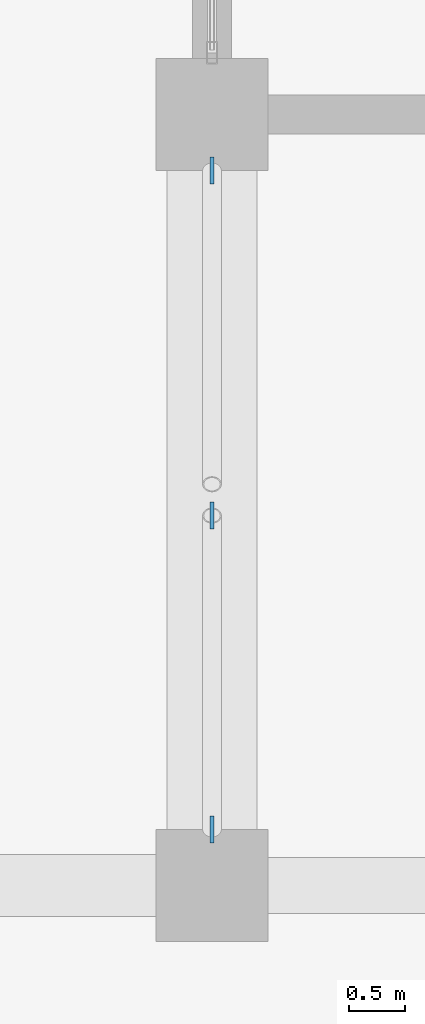
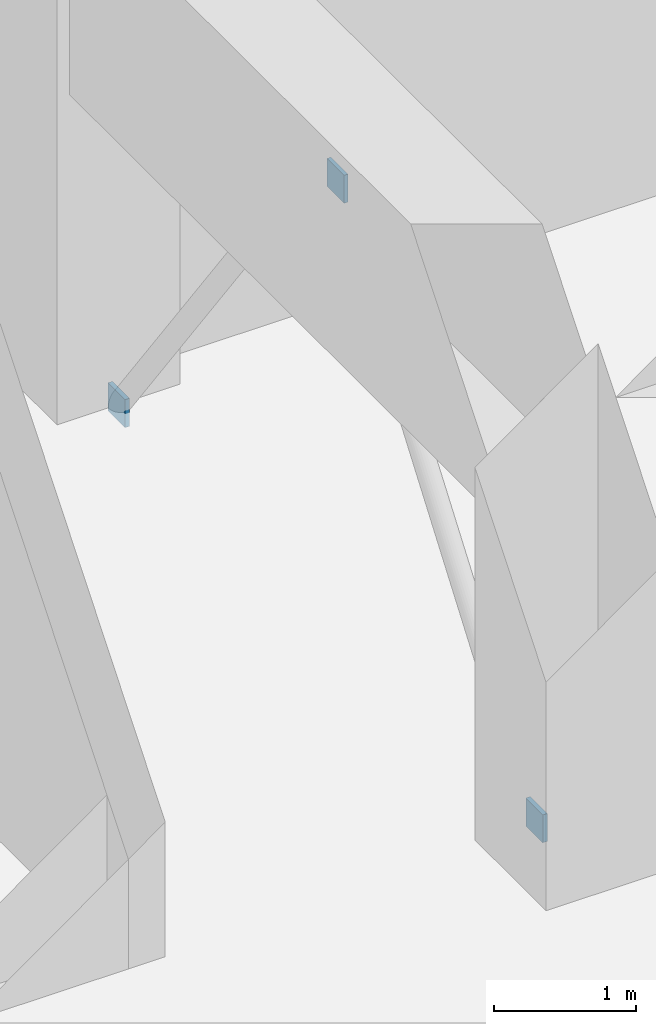
# One storey, part 66 of 94: 3 plates.
"""IFC4 building model written with IfcOpenShell, lengths in metres."""

from ifc_helpers import new_model, si_unit, direction, frame, origin, origin_2d, place, context, subcontext, project, spatial, rectangle, extrude, material, layer, layer_set, type_object, element, save


model = new_model("IFC4")

# Units and contexts
model_context = context("Model", 3, precision=1e-05, world=origin(), true_north=direction((0.0, 1.0)))
body_context = subcontext(model_context, "Body", "Model", "MODEL_VIEW")
ifc_project = project(units=[si_unit("LENGTHUNIT", "METRE"), si_unit("AREAUNIT", "SQUARE_METRE"), si_unit("VOLUMEUNIT", "CUBIC_METRE"), si_unit("PLANEANGLEUNIT", "RADIAN"), si_unit("MASSUNIT", "GRAM", prefix="KILO")], contexts=[model_context])

# Site, building, storey
site_placement = place(None, origin())
site = spatial("IfcSite", under=ifc_project, at=site_placement, CompositionType="ELEMENT")
building_placement = place(site_placement, origin())
building = spatial("IfcBuilding", under=site, at=building_placement, Name="Linyun Crest Stadium", CompositionType="ELEMENT")
storey_placement = place(building_placement, frame((0.0, 0.0, 16.199951171875)))
storey = spatial("IfcBuildingStorey", under=building, at=storey_placement, Name="L04", CompositionType="ELEMENT", Elevation=16.199951171875)

# Plates
ifc_material_1 = material(Name="Steel Q420C", Category="steel")
ifc_layer_1 = layer(ifc_material_1, 0.031982421875)
ifc_layer_set_1 = layer_set([ifc_layer_1], Name="Steel Q420C")
plate_type_1 = type_object("IfcPlateType", Name="EP04", PredefinedType="USERDEFINED", material=ifc_layer_set_1)
plate_placement = place(storey_placement, frame((-84.0, -42.701904296875, 3.669921875), z_axis=(0.0, 0.0, 1.0), x_axis=(0.0, 1.0, 0.0)))
element("IfcPlate", 1, at=plate_placement, inside=storey, type_object=plate_type_1, Name="Hollow section cap end plate EP04 469", ObjectType="END PLATE", PredefinedType="USERDEFINED", context=body_context, shape_type="SweptSolid", body=[
    extrude(rectangle(XDim=0.239990234375, YDim=0.031982421875, at=origin_2d()), origin(), (0.0, 0.0, 1.0), 0.239990234375),
])
ifc_material_2 = material(Name="Steel Q420C", Category="steel")
ifc_layer_2 = layer(ifc_material_2, 0.035888671875)
ifc_layer_set_2 = layer_set([ifc_layer_2], Name="Steel Q420C")
plate_type_2 = type_object("IfcPlateType", Name="NP04", PredefinedType="USERDEFINED", material=ifc_layer_set_2)
for number, where, z_axis, x_axis, name in (
    (2, (-84.0, -45.5, -0.1201171875), (0.0, 0.0, 1.0), (0.0, 1.0, 0.0), "Hollow section cap end plate NP04 468"),
    (3, (-84.0, -39.625, -0.1201171875), (0.0, 0.0, 1.0), (0.0, 1.0, 0.0), "Hollow section cap end plate NP04 470"),
):
    element("IfcPlate", number, at=place(storey_placement, frame(where, z_axis=z_axis, x_axis=x_axis)), inside=storey, type_object=plate_type_2, Name=name, ObjectType="GUSSET PLATE", PredefinedType="USERDEFINED", context=body_context, shape_type="SweptSolid", body=[
        extrude(rectangle(XDim=0.239990234375, YDim=0.035888671875, at=origin_2d()), origin(), (0.0, 0.0, 1.0), 0.239990234375),
    ])

save(model, "model.ifc")
